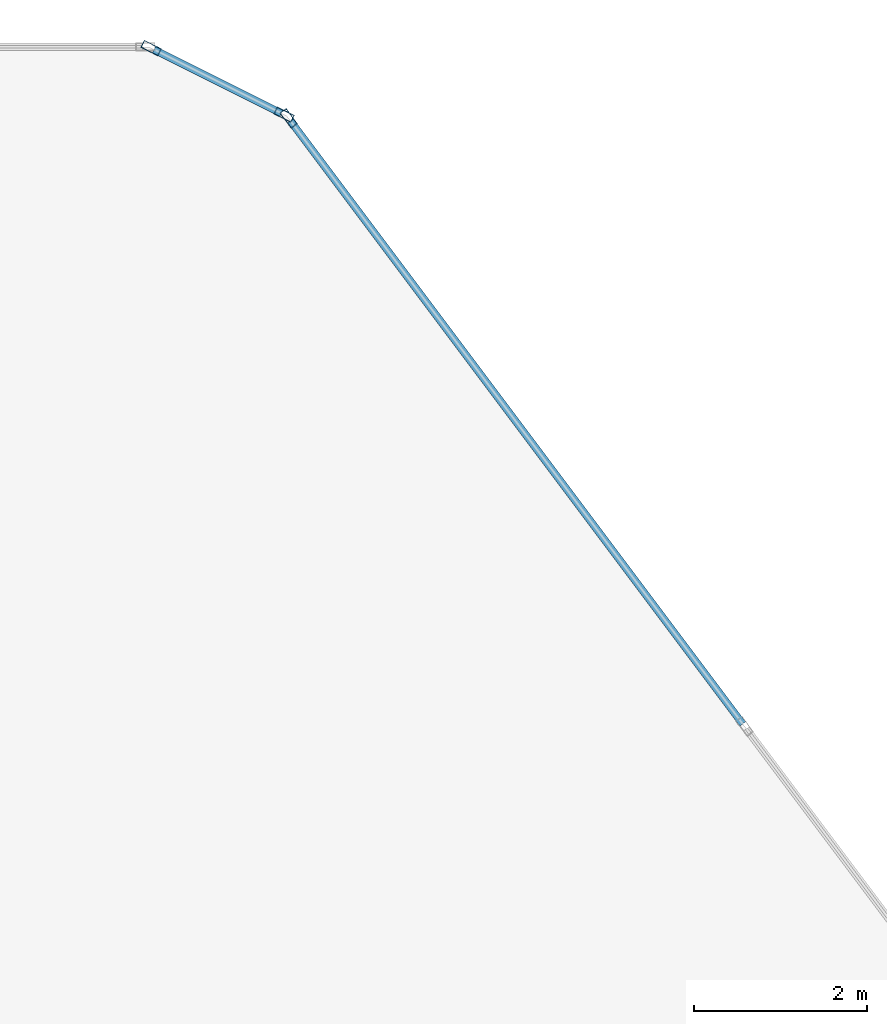
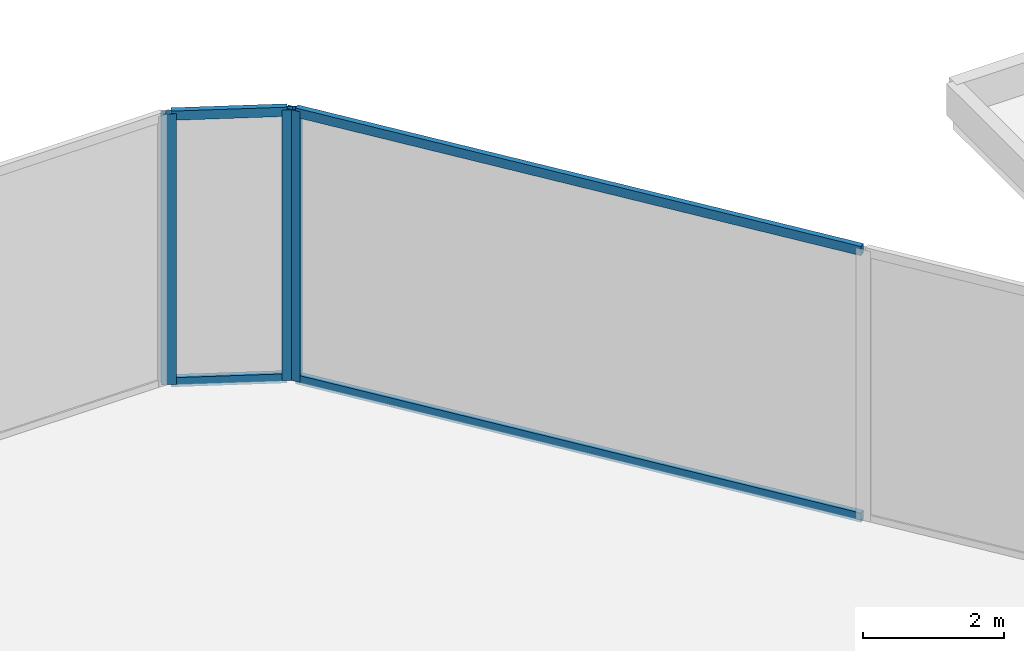
# One storey, part 14 of 29: 7 members, 2 elements without a shape of their own.
"""IFC4 building model written with IfcOpenShell, lengths in metres."""

from ifc_helpers import new_model, si_unit, direction, frame, origin, origin_2d, place, context, subcontext, project, spatial, hollow_rectangle, extrude, material, layer, layer_set, material_profile, profile_set, type_object, element, aggregate, save


model = new_model("IFC4")

# Units and contexts
model_context = context("Model", 3, precision=1e-05, world=origin(), true_north=direction((0.0, 1.0)))
body_context = subcontext(model_context, "Body", "Model", "MODEL_VIEW")
ifc_project = project(units=[si_unit("LENGTHUNIT", "METRE"), si_unit("AREAUNIT", "SQUARE_METRE"), si_unit("VOLUMEUNIT", "CUBIC_METRE"), si_unit("PLANEANGLEUNIT", "RADIAN"), si_unit("MASSUNIT", "GRAM", prefix="KILO")], contexts=[model_context])

# Site, building, storey
site_placement = place(None, origin())
site = spatial("IfcSite", under=ifc_project, at=site_placement, CompositionType="ELEMENT")
building_placement = place(site_placement, origin())
building = spatial("IfcBuilding", under=site, at=building_placement, Name="Keshet Zoharim Tower", CompositionType="ELEMENT")
storey_placement = place(building_placement, frame((0.0, 0.0, 19.0)))
storey = spatial("IfcBuildingStorey", under=building, at=storey_placement, Name="L03", CompositionType="ELEMENT", Elevation=19.0)

# Curtain wall, members
ifc_material = material(Name="Aluminium 6063-T6", Category="aluminium")
ifc_layer = layer(ifc_material, 0.169921875)
ifc_layer_set = layer_set([ifc_layer], Name="Aluminium 6063-T6")
curtain_wall_type = type_object("IfcCurtainWallType", Name="CW-SYS-02", PredefinedType="NOTDEFINED", material=ifc_layer_set)
curtain_wall_1_placement = place(storey_placement, origin())
curtain_wall_1 = element("IfcCurtainWall", 1, at=curtain_wall_1_placement, inside=storey, type_object=curtain_wall_type, Name="L03 Unitised Curtain Wall 07", PredefinedType="NOTDEFINED")
ifc_material_profile_1 = material_profile(ifc_material, hollow_rectangle(XDim=0.090087890625, YDim=0.219970703125, WallThickness=0.0048828125, at=origin_2d()), Name="MUL-90x220")
ifc_profile_set_1 = profile_set([ifc_material_profile_1], Name="Aluminium 6063-T6")
member_type_1 = type_object("IfcMemberType", Name="CWM-M22", PredefinedType="MULLION", material=ifc_profile_set_1)
member_1_placement = place(storey_placement, frame((50.03125, 53.88427734375, 0.0), z_axis=(0.0, 0.0, 1.0), x_axis=(0.447213595499, 0.894427191001, 0.0)))
member_1 = element("IfcMember", 2, at=member_1_placement, type_object=member_type_1, Name="CW-02 mullion 1", PredefinedType="MULLION", context=body_context, shape_type="SweptSolid", body=[
    extrude(hollow_rectangle(XDim=0.090087890625, YDim=0.219970703125, WallThickness=0.0048828125, at=origin_2d()), origin(), (0.0, 0.0, 1.0), 4.68505859375),
])
member_2_placement = place(storey_placement, frame((51.568603515625, 53.11572265625, 0.0), z_axis=(0.0, 0.0, 1.0), x_axis=(0.447213595499, 0.894427191001, 0.0)))
member_2 = element("IfcMember", 3, at=member_2_placement, type_object=member_type_1, Name="CW-02 mullion 2", PredefinedType="MULLION", context=body_context, shape_type="SweptSolid", body=[
    extrude(hollow_rectangle(XDim=0.090087890625, YDim=0.219970703125, WallThickness=0.0048828125, at=origin_2d()), origin(), (0.0, 0.0, 1.0), 4.68505859375),
])

# Curtain wall, member
curtain_wall_2_placement = place(storey_placement, origin())
curtain_wall_2 = element("IfcCurtainWall", 4, at=curtain_wall_2_placement, inside=storey, type_object=curtain_wall_type, Name="L03 Unitised Curtain Wall 08", PredefinedType="NOTDEFINED")
member_3_placement = place(storey_placement, frame((51.62109375, 53.072021484375, 0.0), z_axis=(0.0, 0.0, 1.0), x_axis=(0.799999999998, 0.600000000002, 0.0)))
member_3 = element("IfcMember", 5, at=member_3_placement, type_object=member_type_1, Name="CW-02 mullion 1", PredefinedType="MULLION", context=body_context, shape_type="SweptSolid", body=[
    extrude(hollow_rectangle(XDim=0.090087890625, YDim=0.219970703125, WallThickness=0.0048828125, at=origin_2d()), origin(), (0.0, 0.0, 1.0), 4.68505859375),
])

# Member
ifc_material_profile_2 = material_profile(ifc_material, hollow_rectangle(XDim=0.0849609375, YDim=0.159912109375, WallThickness=0.00439453125, at=origin_2d()), Name="TRN-85x160")
ifc_profile_set_2 = profile_set([ifc_material_profile_2], Name="Aluminium 6063-T6")
member_type_2 = type_object("IfcMemberType", Name="CWT-T16", PredefinedType="USERDEFINED", material=ifc_profile_set_2)
member_4_placement = place(storey_placement, frame((50.0625, 53.86865234375, 0.034912109375), z_axis=(0.894456801911, -0.447154368775, 0.0), x_axis=(0.447154368775, 0.894456801911, 0.0)))
member_4 = element("IfcMember", 6, at=member_4_placement, type_object=member_type_2, Name="CW-02 transom 1.1", ObjectType="TRANSOM", PredefinedType="USERDEFINED", context=body_context, shape_type="SweptSolid", body=[
    extrude(hollow_rectangle(XDim=0.0849609375, YDim=0.159912109375, WallThickness=0.00439453125, at=origin_2d()), origin(), (0.0, 0.0, 1.0), 1.64892578125),
])

member_5_placement = place(storey_placement, frame((50.0625, 53.86865234375, 4.64990234375), z_axis=(0.894456801911, -0.447154368775, 0.0), x_axis=(0.447154368775, 0.894456801911, 0.0)))
member_5 = element("IfcMember", 7, at=member_5_placement, type_object=member_type_2, Name="CW-02 transom 1.2", ObjectType="TRANSOM", PredefinedType="USERDEFINED", context=body_context, shape_type="SweptSolid", body=[
    extrude(hollow_rectangle(XDim=0.0849609375, YDim=0.159912109375, WallThickness=0.00439453125, at=origin_2d()), origin(), (0.0, 0.0, 1.0), 1.64892578125),
])

aggregate(curtain_wall_1, [member_1, member_2, member_4, member_5])

member_6_placement = place(storey_placement, frame((51.64208984375, 53.0439453125, 0.034912109375), z_axis=(0.599991043201, -0.800006717521, 0.0), x_axis=(0.800006717521, 0.599991043201, 0.0)))
member_6 = element("IfcMember", 8, at=member_6_placement, type_object=member_type_2, Name="CW-02 transom 1.1", ObjectType="TRANSOM", PredefinedType="USERDEFINED", context=body_context, shape_type="SweptSolid", body=[
    extrude(hollow_rectangle(XDim=0.0849609375, YDim=0.159912109375, WallThickness=0.00439453125, at=origin_2d()), origin(), (0.0, 0.0, 1.0), 8.722412109375),
])

member_7_placement = place(storey_placement, frame((51.64208984375, 53.0439453125, 4.64990234375), z_axis=(0.599991043201, -0.800006717521, 0.0), x_axis=(0.800006717521, 0.599991043201, 0.0)))
member_7 = element("IfcMember", 9, at=member_7_placement, type_object=member_type_2, Name="CW-02 transom 1.2", ObjectType="TRANSOM", PredefinedType="USERDEFINED", context=body_context, shape_type="SweptSolid", body=[
    extrude(hollow_rectangle(XDim=0.0849609375, YDim=0.159912109375, WallThickness=0.00439453125, at=origin_2d()), origin(), (0.0, 0.0, 1.0), 8.722412109375),
])

aggregate(curtain_wall_2, [member_3, member_6, member_7])

save(model, "model.ifc")
